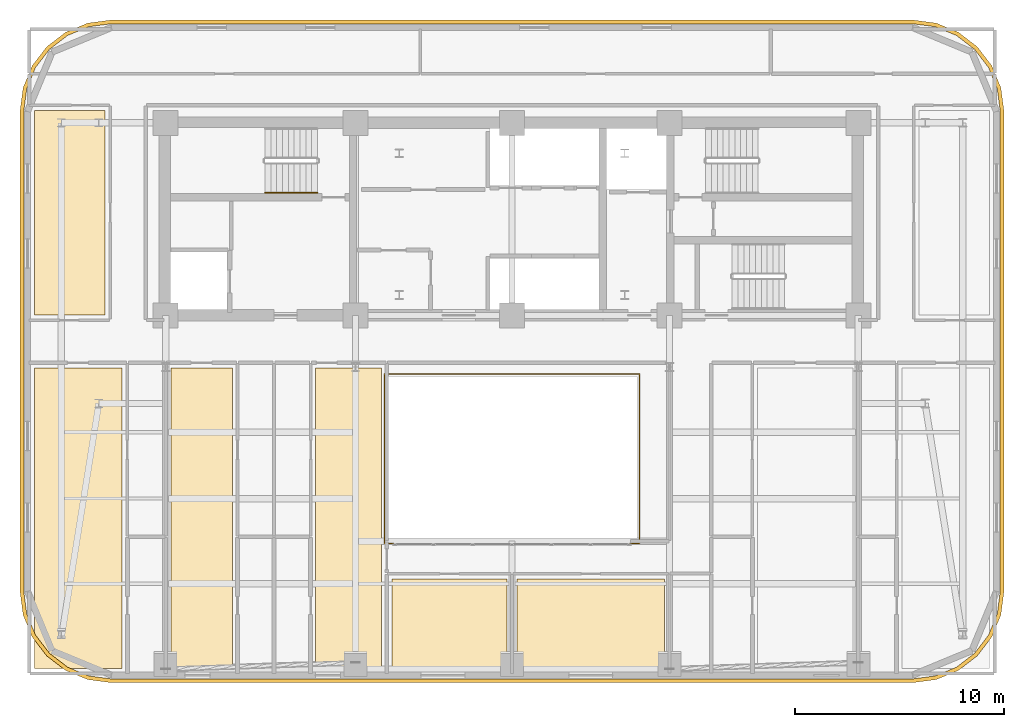
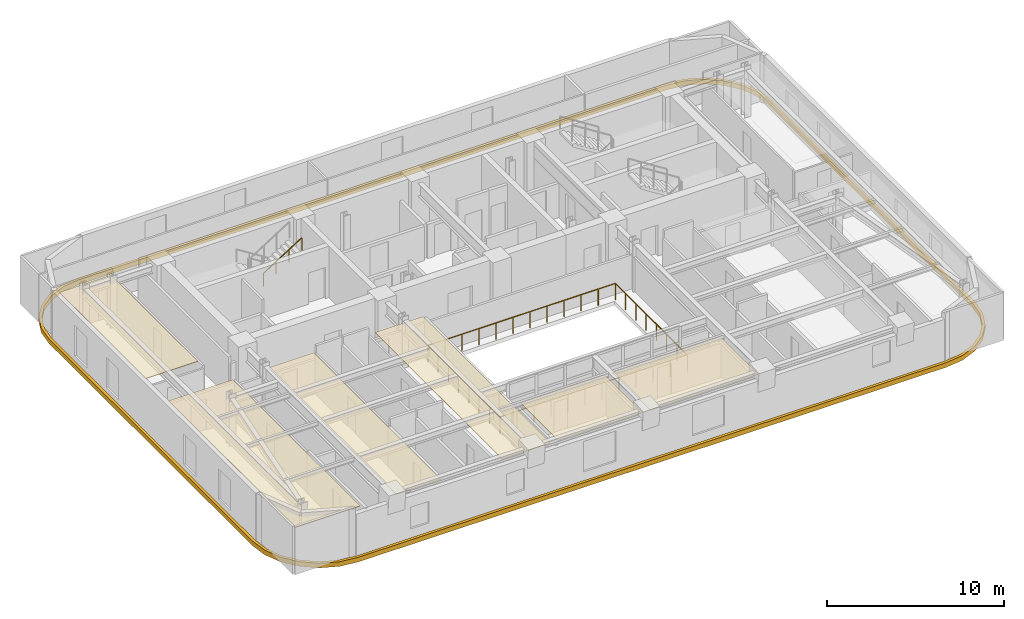
# One storey, part 10 of 12: 7 coverings, 2 railings.
"""IFC4 building model written with IfcOpenShell, lengths in metres."""

from ifc_helpers import new_model, si_unit, direction, frame, origin, origin_2d, place, context, subcontext, project, spatial, polyline, rectangle, outline, extrude, material, layer, layer_set, type_object, element, save


model = new_model("IFC4")

# Units and contexts
model_context = context("Model", 3, precision=1e-05, world=origin(), true_north=direction((0.0, 1.0)))
body_context = subcontext(model_context, "Body", "Model", "MODEL_VIEW")
ifc_project = project(units=[si_unit("LENGTHUNIT", "METRE"), si_unit("AREAUNIT", "SQUARE_METRE"), si_unit("VOLUMEUNIT", "CUBIC_METRE"), si_unit("PLANEANGLEUNIT", "RADIAN"), si_unit("MASSUNIT", "GRAM", prefix="KILO")], contexts=[model_context])

# Site, building, storey
site_placement = place(None, origin())
site = spatial("IfcSite", under=ifc_project, at=site_placement, CompositionType="ELEMENT")
building_placement = place(site_placement, origin())
building = spatial("IfcBuilding", under=site, at=building_placement, Name="Zarnavel Station Tower", CompositionType="ELEMENT")
storey_placement = place(building_placement, frame((0.0, 0.0, 166.10009765625)))
storey = spatial("IfcBuildingStorey", under=building, at=storey_placement, Name="L45", CompositionType="ELEMENT", Elevation=166.10009765625)

# Coverings
ifc_material_1 = material(Name="Perforated Gypsum and Mineral-Wool Acoustic Ceiling", Category="concrete")
ifc_layer = layer(ifc_material_1, 0.0400390625)
ifc_layer_set = layer_set([ifc_layer], Name="COV_CEIL_ACOUSTIC")
covering_type_1 = type_object("IfcCoveringType", Name="COV_CEIL_ACOUSTIC", PredefinedType="CEILING", material=ifc_layer_set)
covering_1_placement = place(storey_placement, frame((0.0, 0.0, 2.969970703125)))
element("IfcCovering", 1, at=covering_1_placement, inside=storey, type_object=covering_type_1, Name="L45 FNW Acoustic Ceiling", PredefinedType="CEILING", context=body_context, shape_type="SweptSolid", body=[
    extrude(outline(polyline([(5.909912109375, 27.85009765625), (9.300048828125, 27.85009765625), (9.300048828125, 37.64990234375), (5.909912109375, 37.64990234375), (5.909912109375, 27.85009765625)])), origin(), (0.0, 0.0, 1.0), 0.0400390625),
])
covering_2_placement = place(storey_placement, frame((0.0, 0.0, 2.969970703125)))
element("IfcCovering", 2, at=covering_2_placement, inside=storey, type_object=covering_type_1, Name="L45 HW1R Acoustic Ceiling", PredefinedType="CEILING", context=body_context, shape_type="SweptSolid", body=[
    extrude(outline(polyline([(5.909912109375, 10.909912109375), (10.118896484375, 10.909912109375), (10.118896484375, 25.300048828125), (5.909912109375, 25.300048828125), (5.909912109375, 10.909912109375)])), origin(), (0.0, 0.0, 1.0), 0.0400390625),
])
covering_3_placement = place(storey_placement, frame((0.0, 0.0, 2.969970703125)))
element("IfcCovering", 3, at=covering_3_placement, inside=storey, type_object=covering_type_1, Name="L45 HW2R Acoustic Ceiling", PredefinedType="CEILING", context=body_context, shape_type="SweptSolid", body=[
    extrude(outline(polyline([(12.449951171875, 10.909912109375), (15.39404296875, 10.909912109375), (15.39404296875, 25.300048828125), (12.449951171875, 25.300048828125), (12.449951171875, 10.909912109375)])), origin(), (0.0, 0.0, 1.0), 0.0400390625),
])
covering_4_placement = place(storey_placement, frame((0.0, 0.0, 2.969970703125)))
element("IfcCovering", 4, at=covering_4_placement, inside=storey, type_object=covering_type_1, Name="L45 HW3R Acoustic Ceiling", PredefinedType="CEILING", context=body_context, shape_type="SweptSolid", body=[
    extrude(outline(polyline([(19.39404296875, 10.909912109375), (22.550048828125, 10.909912109375), (22.550048828125, 25.300048828125), (19.39404296875, 25.300048828125), (19.39404296875, 10.909912109375)])), origin(), (0.0, 0.0, 1.0), 0.0400390625),
])
covering_5_placement = place(storey_placement, frame((0.0, 0.0, 2.969970703125)))
element("IfcCovering", 5, at=covering_5_placement, inside=storey, type_object=covering_type_1, Name="L45 L45BAR Acoustic Ceiling", PredefinedType="CEILING", context=body_context, shape_type="SweptSolid", body=[
    extrude(outline(polyline([(23.050048828125, 10.909912109375), (28.550048828125, 10.909912109375), (28.550048828125, 15.199951171875), (23.050048828125, 15.199951171875), (23.050048828125, 10.909912109375)])), origin(), (0.0, 0.0, 1.0), 0.0400390625),
])
covering_6_placement = place(storey_placement, frame((0.0, 0.0, 2.969970703125)))
element("IfcCovering", 6, at=covering_6_placement, inside=storey, type_object=covering_type_1, Name="L45 L45STD Acoustic Ceiling", PredefinedType="CEILING", context=body_context, shape_type="SweptSolid", body=[
    extrude(outline(polyline([(29.050048828125, 10.909912109375), (36.10009765625, 10.909912109375), (36.10009765625, 15.199951171875), (29.050048828125, 15.199951171875), (29.050048828125, 10.909912109375)])), origin(), (0.0, 0.0, 1.0), 0.0400390625),
])
ifc_material_2 = material(Name="Precast concrete C45/55 (Pale Travertine Slab Band)", Category="masonry")
covering_type_2 = type_object("IfcCoveringType", Name="COV_TRAVERTINE_BAND", PredefinedType="CLADDING", material=ifc_material_2)
covering_7_placement = place(storey_placement, frame((0.0, 0.0, -0.260009765625)))
element("IfcCovering", 7, at=covering_7_placement, inside=storey, type_object=covering_type_2, Name="L45 Pale Travertine Slab-Edge Band", PredefinedType="CLADDING", context=body_context, shape_type="SweptSolid", body=[
    extrude(outline(polyline([(48.0, 10.219970703125), (49.133544921875, 10.369140625), (50.18994140625, 10.806884765625), (51.09716796875, 11.5029296875), (51.793212890625, 12.409912109375), (52.230712890625, 13.46630859375), (52.3798828125, 14.60009765625), (52.3798828125, 37.60009765625), (52.230712890625, 38.733642578125), (51.793212890625, 39.7900390625), (51.09716796875, 40.697021484375), (50.18994140625, 41.393310546875), (49.133544921875, 41.830810546875), (48.0, 41.97998046875), (9.60009765625, 41.97998046875), (8.46630859375, 41.830810546875), (7.409912109375, 41.393310546875), (6.5029296875, 40.697021484375), (5.806884765625, 39.7900390625), (5.369140625, 38.733642578125), (5.219970703125, 37.60009765625), (5.219970703125, 14.60009765625), (5.369140625, 13.46630859375), (5.806884765625, 12.409912109375), (6.5029296875, 11.5029296875), (7.409912109375, 10.806884765625), (8.46630859375, 10.369140625), (9.60009765625, 10.219970703125), (48.0, 10.219970703125)]), holes=[polyline([(48.0, 10.39990234375), (49.0869140625, 10.543212890625), (50.10009765625, 10.962646484375), (50.9697265625, 11.630126953125), (51.63720703125, 12.5), (52.056884765625, 13.512939453125), (52.199951171875, 14.60009765625), (52.199951171875, 37.60009765625), (52.056884765625, 38.68701171875), (51.63720703125, 39.699951171875), (50.9697265625, 40.56982421875), (50.10009765625, 41.2373046875), (49.0869140625, 41.656982421875), (48.0, 41.800048828125), (9.60009765625, 41.800048828125), (8.512939453125, 41.656982421875), (7.5, 41.2373046875), (6.630126953125, 40.56982421875), (5.962646484375, 39.699951171875), (5.543212890625, 38.68701171875), (5.39990234375, 37.60009765625), (5.39990234375, 14.60009765625), (5.543212890625, 13.512939453125), (5.962646484375, 12.5), (6.630126953125, 11.630126953125), (7.5, 10.962646484375), (8.512939453125, 10.543212890625), (9.60009765625, 10.39990234375), (48.0, 10.39990234375)])]), origin(), (0.0, 0.0, 1.0), 0.31982421875),
])

# Railings
ifc_material_3 = material(Name="Painted Steel S355J2 Balustrade", Category="steel")
railing_type_1 = type_object("IfcRailingType", Name="GR_INT_1150", PredefinedType="GUARDRAIL", material=ifc_material_3)
railing_1_placement = place(storey_placement, frame((22.679931640625, 16.8798828125, 0.0)))
element("IfcRailing", 8, at=railing_1_placement, inside=storey, type_object=railing_type_1, Name="L45 Atrium Void Guardrail", PredefinedType="GUARDRAIL", context=body_context, shape_type="SweptSolid", body=[
    extrude(rectangle(XDim=0.048095703125, YDim=0.048095703125, at=origin_2d()), frame((0.001953125, 0.0, 1.1259765625), z_axis=(1.0, 0.0, 0.0), x_axis=(0.0, 1.0, 0.0)), (0.0, 0.0, 1.0), 12.236083984375),
    extrude(rectangle(XDim=0.048095703125, YDim=0.048095703125, at=origin_2d()), frame((12.239990234375, 0.001953125, 1.1259765625), z_axis=(0.0, 1.0, 0.0), x_axis=(-1.0, 0.0, 0.0)), (0.0, 0.0, 1.0), 8.13623046875),
    extrude(rectangle(XDim=0.048095703125, YDim=0.048095703125, at=origin_2d()), frame((12.238037109375, 8.14013671875, 1.1259765625), z_axis=(-1.0, 0.0, 0.0), x_axis=(0.0, -1.0, 0.0)), (0.0, 0.0, 1.0), 12.236083984375),
    extrude(rectangle(XDim=0.048095703125, YDim=0.048095703125, at=origin_2d()), frame((0.0, 8.13818359375, 1.1259765625), z_axis=(0.0, -1.0, 0.0), x_axis=(1.0, 0.0, 0.0)), (0.0, 0.0, 1.0), 8.13623046875),
    extrude(rectangle(XDim=0.0419921875, YDim=0.0419921875, at=origin_2d()), origin(), (0.0, 0.0, 1.0), 1.101806640625),
    extrude(rectangle(XDim=0.0419921875, YDim=0.0419921875, at=origin_2d()), frame((1.11279296875, 0.0, 0.0)), (0.0, 0.0, 1.0), 1.101806640625),
    extrude(rectangle(XDim=0.0419921875, YDim=0.0419921875, at=origin_2d()), frame((2.225341796875, 0.0, 0.0)), (0.0, 0.0, 1.0), 1.101806640625),
    extrude(rectangle(XDim=0.0419921875, YDim=0.0419921875, at=origin_2d()), frame((3.338134765625, 0.0, 0.0)), (0.0, 0.0, 1.0), 1.101806640625),
    extrude(rectangle(XDim=0.0419921875, YDim=0.0419921875, at=origin_2d()), frame((4.450927734375, 0.0, 0.0)), (0.0, 0.0, 1.0), 1.101806640625),
    extrude(rectangle(XDim=0.0419921875, YDim=0.0419921875, at=origin_2d()), frame((5.563720703125, 0.0, 0.0)), (0.0, 0.0, 1.0), 1.101806640625),
    extrude(rectangle(XDim=0.0419921875, YDim=0.0419921875, at=origin_2d()), frame((6.67626953125, 0.0, 0.0)), (0.0, 0.0, 1.0), 1.101806640625),
    extrude(rectangle(XDim=0.0419921875, YDim=0.0419921875, at=origin_2d()), frame((7.7890625, 0.0, 0.0)), (0.0, 0.0, 1.0), 1.101806640625),
    extrude(rectangle(XDim=0.0419921875, YDim=0.0419921875, at=origin_2d()), frame((8.90185546875, 0.0, 0.0)), (0.0, 0.0, 1.0), 1.101806640625),
    extrude(rectangle(XDim=0.0419921875, YDim=0.0419921875, at=origin_2d()), frame((10.0146484375, 0.0, 0.0)), (0.0, 0.0, 1.0), 1.101806640625),
    extrude(rectangle(XDim=0.0419921875, YDim=0.0419921875, at=origin_2d()), frame((11.127197265625, 0.0, 0.0)), (0.0, 0.0, 1.0), 1.101806640625),
    extrude(rectangle(XDim=0.0419921875, YDim=0.0419921875, at=origin_2d()), frame((12.239990234375, 0.0, 0.0)), (0.0, 0.0, 1.0), 1.101806640625),
    extrude(rectangle(XDim=0.0419921875, YDim=0.0419921875, at=origin_2d()), frame((12.239990234375, 1.162841796875, 0.0)), (0.0, 0.0, 1.0), 1.101806640625),
    extrude(rectangle(XDim=0.0419921875, YDim=0.0419921875, at=origin_2d()), frame((12.239990234375, 2.32568359375, 0.0)), (0.0, 0.0, 1.0), 1.101806640625),
    extrude(rectangle(XDim=0.0419921875, YDim=0.0419921875, at=origin_2d()), frame((12.239990234375, 3.488525390625, 0.0)), (0.0, 0.0, 1.0), 1.101806640625),
    extrude(rectangle(XDim=0.0419921875, YDim=0.0419921875, at=origin_2d()), frame((12.239990234375, 4.651611328125, 0.0)), (0.0, 0.0, 1.0), 1.101806640625),
    extrude(rectangle(XDim=0.0419921875, YDim=0.0419921875, at=origin_2d()), frame((12.239990234375, 5.814453125, 0.0)), (0.0, 0.0, 1.0), 1.101806640625),
    extrude(rectangle(XDim=0.0419921875, YDim=0.0419921875, at=origin_2d()), frame((12.239990234375, 6.977294921875, 0.0)), (0.0, 0.0, 1.0), 1.101806640625),
    extrude(rectangle(XDim=0.0419921875, YDim=0.0419921875, at=origin_2d()), frame((12.239990234375, 8.14013671875, 0.0)), (0.0, 0.0, 1.0), 1.101806640625),
    extrude(rectangle(XDim=0.0419921875, YDim=0.0419921875, at=origin_2d()), frame((11.127197265625, 8.14013671875, 0.0)), (0.0, 0.0, 1.0), 1.101806640625),
    extrude(rectangle(XDim=0.0419921875, YDim=0.0419921875, at=origin_2d()), frame((10.0146484375, 8.14013671875, 0.0)), (0.0, 0.0, 1.0), 1.101806640625),
    extrude(rectangle(XDim=0.0419921875, YDim=0.0419921875, at=origin_2d()), frame((8.90185546875, 8.14013671875, 0.0)), (0.0, 0.0, 1.0), 1.101806640625),
    extrude(rectangle(XDim=0.0419921875, YDim=0.0419921875, at=origin_2d()), frame((7.7890625, 8.14013671875, 0.0)), (0.0, 0.0, 1.0), 1.101806640625),
    extrude(rectangle(XDim=0.0419921875, YDim=0.0419921875, at=origin_2d()), frame((6.67626953125, 8.14013671875, 0.0)), (0.0, 0.0, 1.0), 1.101806640625),
    extrude(rectangle(XDim=0.0419921875, YDim=0.0419921875, at=origin_2d()), frame((5.563720703125, 8.14013671875, 0.0)), (0.0, 0.0, 1.0), 1.101806640625),
    extrude(rectangle(XDim=0.0419921875, YDim=0.0419921875, at=origin_2d()), frame((4.450927734375, 8.14013671875, 0.0)), (0.0, 0.0, 1.0), 1.101806640625),
    extrude(rectangle(XDim=0.0419921875, YDim=0.0419921875, at=origin_2d()), frame((3.338134765625, 8.14013671875, 0.0)), (0.0, 0.0, 1.0), 1.101806640625),
    extrude(rectangle(XDim=0.0419921875, YDim=0.0419921875, at=origin_2d()), frame((2.225341796875, 8.14013671875, 0.0)), (0.0, 0.0, 1.0), 1.101806640625),
    extrude(rectangle(XDim=0.0419921875, YDim=0.0419921875, at=origin_2d()), frame((1.11279296875, 8.14013671875, 0.0)), (0.0, 0.0, 1.0), 1.101806640625),
    extrude(rectangle(XDim=0.0419921875, YDim=0.0419921875, at=origin_2d()), frame((0.0, 8.14013671875, 0.0)), (0.0, 0.0, 1.0), 1.101806640625),
    extrude(rectangle(XDim=0.0419921875, YDim=0.0419921875, at=origin_2d()), frame((0.0, 6.977294921875, 0.0)), (0.0, 0.0, 1.0), 1.101806640625),
    extrude(rectangle(XDim=0.0419921875, YDim=0.0419921875, at=origin_2d()), frame((0.0, 5.814453125, 0.0)), (0.0, 0.0, 1.0), 1.101806640625),
    extrude(rectangle(XDim=0.0419921875, YDim=0.0419921875, at=origin_2d()), frame((0.0, 4.651611328125, 0.0)), (0.0, 0.0, 1.0), 1.101806640625),
    extrude(rectangle(XDim=0.0419921875, YDim=0.0419921875, at=origin_2d()), frame((0.0, 3.488525390625, 0.0)), (0.0, 0.0, 1.0), 1.101806640625),
    extrude(rectangle(XDim=0.0419921875, YDim=0.0419921875, at=origin_2d()), frame((0.0, 2.32568359375, 0.0)), (0.0, 0.0, 1.0), 1.101806640625),
    extrude(rectangle(XDim=0.0419921875, YDim=0.0419921875, at=origin_2d()), frame((0.0, 1.162841796875, 0.0)), (0.0, 0.0, 1.0), 1.101806640625),
])
ifc_material_4 = material(Name="Brushed Stainless Steel S355J2 Handrail", Category="steel")
railing_type_2 = type_object("IfcRailingType", Name="HR_STAIR_900", PredefinedType="HANDRAIL", material=ifc_material_4)
railing_2_placement = place(storey_placement, frame((16.9599609375, 33.7099609375, 1.952392578125)))
element("IfcRailing", 9, at=railing_2_placement, inside=storey, type_object=railing_type_2, Name="L45 ST1 stair handrail 2", PredefinedType="HANDRAIL", context=body_context, shape_type="SweptSolid", body=[
    extrude(rectangle(XDim=0.048095703125, YDim=0.048095703125, at=origin_2d()), frame((0.001708984375, 0.0, 0.876953125), z_axis=(0.84460694969, 0.0, 0.535386869969), x_axis=(0.0, 1.0, 0.0)), (0.0, 0.0, 1.0), 2.979736328125),
    extrude(rectangle(XDim=0.0419921875, YDim=0.0419921875, at=origin_2d()), origin(), (0.0, 0.0, 1.0), 0.851806640625),
    extrude(rectangle(XDim=0.0419921875, YDim=0.0419921875, at=origin_2d()), frame((0.840087890625, 0.0, 0.532470703125)), (0.0, 0.0, 1.0), 0.851806640625),
    extrude(rectangle(XDim=0.0419921875, YDim=0.0419921875, at=origin_2d()), frame((1.679931640625, 0.0, 1.06494140625)), (0.0, 0.0, 1.0), 0.851806640625),
    extrude(rectangle(XDim=0.0419921875, YDim=0.0419921875, at=origin_2d()), frame((2.52001953125, 0.0, 1.597412109375)), (0.0, 0.0, 1.0), 0.851806640625),
])

save(model, "model.ifc")
